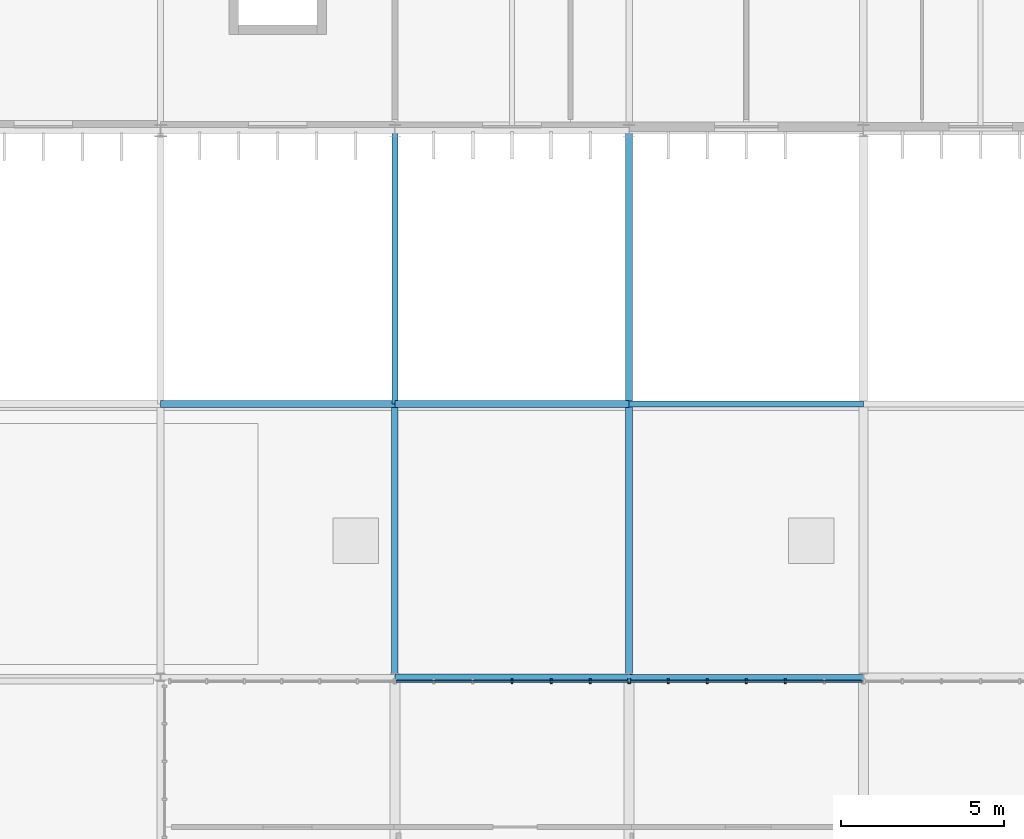
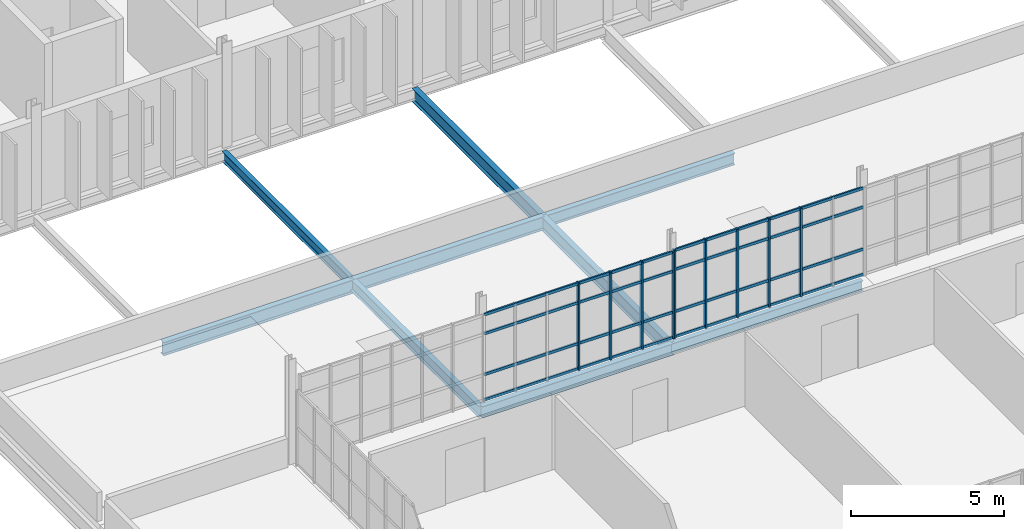
# One storey, part 35 of 119: 17 members, 9 beams, 2 elements without a shape of their own.
"""IFC4 building model written with IfcOpenShell, lengths in metres."""

from ifc_helpers import new_model, si_unit, direction, frame, origin, origin_2d, place, context, subcontext, project, spatial, rectangle, i_section, extrude, material, material_profile, profile_set, type_object, element, aggregate, save


model = new_model("IFC4")

# Units and contexts
model_context = context("Model", 3, precision=1e-05, world=origin(), true_north=direction((0.0, 1.0)))
body_context = subcontext(model_context, "Body", "Model", "MODEL_VIEW")
ifc_project = project(units=[si_unit("LENGTHUNIT", "METRE"), si_unit("AREAUNIT", "SQUARE_METRE"), si_unit("VOLUMEUNIT", "CUBIC_METRE"), si_unit("PLANEANGLEUNIT", "RADIAN"), si_unit("MASSUNIT", "GRAM", prefix="KILO")], contexts=[model_context])

# Site, building, storey
site_placement = place(None, origin())
site = spatial("IfcSite", under=ifc_project, at=site_placement, CompositionType="ELEMENT")
building_placement = place(site_placement, origin())
building = spatial("IfcBuilding", under=site, at=building_placement, Name="Qelthora Terrace Specialist Clinic", CompositionType="ELEMENT")
storey_placement = place(building_placement, frame((0.0, 0.0, 4.800048828125)))
storey = spatial("IfcBuildingStorey", under=building, at=storey_placement, Name="L01", CompositionType="ELEMENT", Elevation=4.800048828125)

# Beams
ifc_material_1 = material(Name="Steel S355", Category="steel")
ifc_material_profile_1 = material_profile(ifc_material_1, i_section(OverallWidth=0.178955078125, OverallDepth=0.409912109375, WebThickness=0.0087890625, FlangeThickness=0.014404296875, FilletRadius=0.011962890625, at=origin_2d()), Name="W410X67")
ifc_profile_set_1 = profile_set([ifc_material_profile_1], Name="Steel S355")
beam_type_1 = type_object("IfcBeamType", Name="BM-W410X67", PredefinedType="BEAM", material=ifc_profile_set_1)
beam_1_placement = place(storey_placement, frame((122.39990234375, 16.800048828125, -0.455078125), z_axis=(1.0, 0.0, 0.0), x_axis=(0.0, 1.0, 0.0)))
element("IfcBeam", 1, at=beam_1_placement, inside=storey, type_object=beam_type_1, Name="Girder BMX-L01-0168", PredefinedType="BEAM", context=body_context, shape_type="SweptSolid", body=[
    extrude(i_section(OverallWidth=0.178955078125, OverallDepth=0.409912109375, WebThickness=0.0087890625, FlangeThickness=0.014404296875, FilletRadius=0.011962890625, at=origin_2d()), origin(), (0.0, 0.0, 1.0), 7.2001953125),
])
ifc_material_profile_2 = material_profile(ifc_material_1, i_section(OverallWidth=0.179931640625, OverallDepth=0.4130859375, WebThickness=0.009765625, FlangeThickness=0.01611328125, FilletRadius=0.011962890625, at=origin_2d()), Name="W410X75")
ifc_profile_set_2 = profile_set([ifc_material_profile_2], Name="Steel S355")
beam_type_2 = type_object("IfcBeamType", Name="BM-W410X75", PredefinedType="BEAM", material=ifc_profile_set_2)
beam_2_placement = place(storey_placement, frame((115.199951171875, 25.199951171875, -0.45654296875), z_axis=(0.0, 1.0, 0.0), x_axis=(-1.0, 0.0, 0.0)))
element("IfcBeam", 2, at=beam_2_placement, inside=storey, type_object=beam_type_2, Name="Girder BMY-L01-0489", PredefinedType="BEAM", context=body_context, shape_type="SweptSolid", body=[
    extrude(i_section(OverallWidth=0.179931640625, OverallDepth=0.4130859375, WebThickness=0.009765625, FlangeThickness=0.01611328125, FilletRadius=0.011962890625, at=origin_2d()), origin(), (0.0, 0.0, 1.0), 8.400146484375),
])
ifc_material_profile_3 = material_profile(ifc_material_1, i_section(OverallWidth=0.19091796875, OverallDepth=0.4599609375, WebThickness=0.010009765625, FlangeThickness=0.01611328125, FilletRadius=0.012939453125, at=origin_2d()), Name="W460X82")
ifc_profile_set_3 = profile_set([ifc_material_profile_3], Name="Steel S355")
beam_type_3 = type_object("IfcBeamType", Name="BM-W460X82", PredefinedType="BEAM", material=ifc_profile_set_3)
beam_3_placement = place(storey_placement, frame((115.199951171875, 16.800048828125, -0.47998046875), z_axis=(1.0, 0.0, 0.0), x_axis=(0.0, 1.0, 0.0)))
element("IfcBeam", 3, at=beam_3_placement, inside=storey, type_object=beam_type_3, Name="Girder BMX-L01-0167", PredefinedType="BEAM", context=body_context, shape_type="SweptSolid", body=[
    extrude(i_section(OverallWidth=0.19091796875, OverallDepth=0.4599609375, WebThickness=0.010009765625, FlangeThickness=0.01611328125, FilletRadius=0.012939453125, at=origin_2d()), origin(), (0.0, 0.0, 1.0), 7.199951171875),
])
beam_4_placement = place(storey_placement, frame((115.199951171875, 16.800048828125, -0.47998046875), z_axis=(0.0, 1.0, 0.0), x_axis=(-1.0, 0.0, 0.0)))
element("IfcBeam", 4, at=beam_4_placement, inside=storey, type_object=beam_type_3, Name="Girder BMY-L01-0488", PredefinedType="BEAM", context=body_context, shape_type="SweptSolid", body=[
    extrude(i_section(OverallWidth=0.19091796875, OverallDepth=0.4599609375, WebThickness=0.010009765625, FlangeThickness=0.01611328125, FilletRadius=0.012939453125, at=origin_2d()), origin(), (0.0, 0.0, 1.0), 8.39990234375),
])
ifc_material_profile_4 = material_profile(ifc_material_1, i_section(OverallWidth=0.193115234375, OverallDepth=0.466064453125, WebThickness=0.011474609375, FlangeThickness=0.01904296875, FilletRadius=0.012939453125, at=origin_2d()), Name="W460X97")
ifc_profile_set_4 = profile_set([ifc_material_profile_4], Name="Steel S355")
beam_type_4 = type_object("IfcBeamType", Name="BM-W460X97", PredefinedType="BEAM", material=ifc_profile_set_4)
beam_5_placement = place(storey_placement, frame((122.39990234375, 25.199951171875, -0.483154296875), z_axis=(1.0, 0.0, 0.0), x_axis=(0.0, 1.0, 0.0)))
element("IfcBeam", 5, at=beam_5_placement, inside=storey, type_object=beam_type_4, Name="Girder BMX-L01-0189", PredefinedType="BEAM", context=body_context, shape_type="SweptSolid", body=[
    extrude(i_section(OverallWidth=0.193115234375, OverallDepth=0.466064453125, WebThickness=0.011474609375, FlangeThickness=0.01904296875, FilletRadius=0.012939453125, at=origin_2d()), origin(), (0.0, 0.0, 1.0), 7.2001953125),
])
ifc_material_profile_5 = material_profile(ifc_material_1, i_section(OverallWidth=0.2099609375, OverallDepth=0.537109375, WebThickness=0.010986328125, FlangeThickness=0.017333984375, FilletRadius=0.013916015625, at=origin_2d()), Name="W530X101")
ifc_profile_set_5 = profile_set([ifc_material_profile_5], Name="Steel S355")
beam_type_5 = type_object("IfcBeamType", Name="BM-W530X101", PredefinedType="BEAM", material=ifc_profile_set_5)
beam_6_placement = place(storey_placement, frame((115.199951171875, 25.199951171875, -0.5185546875), z_axis=(1.0, 0.0, 0.0), x_axis=(0.0, 1.0, 0.0)))
element("IfcBeam", 6, at=beam_6_placement, inside=storey, type_object=beam_type_5, Name="Girder BMX-L01-0188", PredefinedType="BEAM", context=body_context, shape_type="SweptSolid", body=[
    extrude(i_section(OverallWidth=0.2099609375, OverallDepth=0.537109375, WebThickness=0.010986328125, FlangeThickness=0.017333984375, FilletRadius=0.013916015625, at=origin_2d()), origin(), (0.0, 0.0, 1.0), 7.199951171875),
])
beam_7_placement = place(storey_placement, frame((122.39990234375, 25.199951171875, -0.5185546875), z_axis=(0.0, 1.0, 0.0), x_axis=(-1.0, 0.0, 0.0)))
element("IfcBeam", 7, at=beam_7_placement, inside=storey, type_object=beam_type_5, Name="Girder BMY-L01-0496", PredefinedType="BEAM", context=body_context, shape_type="SweptSolid", body=[
    extrude(i_section(OverallWidth=0.2099609375, OverallDepth=0.537109375, WebThickness=0.010986328125, FlangeThickness=0.017333984375, FilletRadius=0.013916015625, at=origin_2d()), origin(), (0.0, 0.0, 1.0), 8.400146484375),
])
ifc_material_profile_6 = material_profile(ifc_material_1, i_section(OverallWidth=0.2119140625, OverallDepth=0.5439453125, WebThickness=0.01318359375, FlangeThickness=0.021240234375, FilletRadius=0.013916015625, at=origin_2d()), Name="W530X123")
ifc_profile_set_6 = profile_set([ifc_material_profile_6], Name="Steel S355")
beam_type_6 = type_object("IfcBeamType", Name="BM-W530X123", PredefinedType="BEAM", material=ifc_profile_set_6)
beam_8_placement = place(storey_placement, frame((108.0, 25.199951171875, -0.52197265625), z_axis=(1.0, 0.0, 0.0), x_axis=(0.0, 1.0, 0.0)))
element("IfcBeam", 8, at=beam_8_placement, inside=storey, type_object=beam_type_6, Name="Girder BMX-L01-0187", PredefinedType="BEAM", context=body_context, shape_type="SweptSolid", body=[
    extrude(i_section(OverallWidth=0.2119140625, OverallDepth=0.5439453125, WebThickness=0.01318359375, FlangeThickness=0.021240234375, FilletRadius=0.013916015625, at=origin_2d()), origin(), (0.0, 0.0, 1.0), 7.199951171875),
])
beam_9_placement = place(storey_placement, frame((122.39990234375, 16.800048828125, -0.52197265625), z_axis=(0.0, 1.0, 0.0), x_axis=(-1.0, 0.0, 0.0)))
element("IfcBeam", 9, at=beam_9_placement, inside=storey, type_object=beam_type_6, Name="Girder BMY-L01-0495", PredefinedType="BEAM", context=body_context, shape_type="SweptSolid", body=[
    extrude(i_section(OverallWidth=0.2119140625, OverallDepth=0.5439453125, WebThickness=0.01318359375, FlangeThickness=0.021240234375, FilletRadius=0.013916015625, at=origin_2d()), origin(), (0.0, 0.0, 1.0), 8.39990234375),
])

# Curtain wall, members
ifc_material_2 = material(Name="Aluminium anodized bronze", Category="aluminium")
curtain_wall_type = type_object("IfcCurtainWallType", Name="CW-CONS-UP", PredefinedType="NOTDEFINED", material=ifc_material_2)
curtain_wall_1_placement = place(storey_placement, origin())
curtain_wall_1 = element("IfcCurtainWall", 10, at=curtain_wall_1_placement, inside=storey, type_object=curtain_wall_type, Name="Curtain wall CW-L01-241", PredefinedType="NOTDEFINED")
ifc_material_profile_7 = material_profile(ifc_material_2, rectangle(XDim=0.06005859375, YDim=0.14990234375, at=origin_2d()), Name="CWM60X150")
ifc_profile_set_7 = profile_set([ifc_material_profile_7], Name="Aluminium anodized bronze")
member_type_1 = type_object("IfcMemberType", Name="CWM-60X150", PredefinedType="MULLION", material=ifc_profile_set_7)
member_1_placement = place(storey_placement, frame((118.800048828125, 16.679931640625, 0.0), z_axis=(0.0, 0.0, 1.0), x_axis=(1.0, 0.0, 0.0)))
member_1 = element("IfcMember", 11, at=member_1_placement, type_object=member_type_1, Name="CW-L01-241 mullion 4", PredefinedType="MULLION", context=body_context, shape_type="SweptSolid", body=[
    extrude(rectangle(XDim=0.06005859375, YDim=0.14990234375, at=origin_2d()), origin(), (0.0, 0.0, 1.0), 3.48193359375),
])
member_2_placement = place(storey_placement, frame((120.0, 16.679931640625, 0.0), z_axis=(0.0, 0.0, 1.0), x_axis=(1.0, 0.0, 0.0)))
member_2 = element("IfcMember", 12, at=member_2_placement, type_object=member_type_1, Name="CW-L01-241 mullion 5", PredefinedType="MULLION", context=body_context, shape_type="SweptSolid", body=[
    extrude(rectangle(XDim=0.06005859375, YDim=0.14990234375, at=origin_2d()), origin(), (0.0, 0.0, 1.0), 3.48193359375),
])
member_3_placement = place(storey_placement, frame((121.199951171875, 16.679931640625, 0.0), z_axis=(0.0, 0.0, 1.0), x_axis=(1.0, 0.0, 0.0)))
member_3 = element("IfcMember", 13, at=member_3_placement, type_object=member_type_1, Name="CW-L01-241 mullion 6", PredefinedType="MULLION", context=body_context, shape_type="SweptSolid", body=[
    extrude(rectangle(XDim=0.06005859375, YDim=0.14990234375, at=origin_2d()), origin(), (0.0, 0.0, 1.0), 3.48193359375),
])
member_4_placement = place(storey_placement, frame((122.3798828125, 16.679931640625, 0.0), z_axis=(0.0, 0.0, 1.0), x_axis=(1.0, 0.0, 0.0)))
member_4 = element("IfcMember", 14, at=member_4_placement, type_object=member_type_1, Name="CW-L01-241 mullion 7", PredefinedType="MULLION", context=body_context, shape_type="SweptSolid", body=[
    extrude(rectangle(XDim=0.06005859375, YDim=0.14990234375, at=origin_2d()), origin(), (0.0, 0.0, 1.0), 3.48193359375),
])

curtain_wall_2_placement = place(storey_placement, origin())
curtain_wall_2 = element("IfcCurtainWall", 15, at=curtain_wall_2_placement, inside=storey, type_object=curtain_wall_type, Name="Curtain wall CW-L01-242", PredefinedType="NOTDEFINED")
member_5_placement = place(storey_placement, frame((122.419921875, 16.679931640625, 0.0), z_axis=(0.0, 0.0, 1.0), x_axis=(1.0, 0.0, 0.0)))
member_5 = element("IfcMember", 16, at=member_5_placement, type_object=member_type_1, Name="CW-L01-242 mullion 1", PredefinedType="MULLION", context=body_context, shape_type="SweptSolid", body=[
    extrude(rectangle(XDim=0.06005859375, YDim=0.14990234375, at=origin_2d()), origin(), (0.0, 0.0, 1.0), 3.529052734375),
])
member_6_placement = place(storey_placement, frame((123.60009765625, 16.679931640625, 0.0), z_axis=(0.0, 0.0, 1.0), x_axis=(1.0, 0.0, 0.0)))
member_6 = element("IfcMember", 17, at=member_6_placement, type_object=member_type_1, Name="CW-L01-242 mullion 2", PredefinedType="MULLION", context=body_context, shape_type="SweptSolid", body=[
    extrude(rectangle(XDim=0.06005859375, YDim=0.14990234375, at=origin_2d()), origin(), (0.0, 0.0, 1.0), 3.529052734375),
])
member_7_placement = place(storey_placement, frame((124.800048828125, 16.679931640625, 0.0), z_axis=(0.0, 0.0, 1.0), x_axis=(1.0, 0.0, 0.0)))
member_7 = element("IfcMember", 18, at=member_7_placement, type_object=member_type_1, Name="CW-L01-242 mullion 3", PredefinedType="MULLION", context=body_context, shape_type="SweptSolid", body=[
    extrude(rectangle(XDim=0.06005859375, YDim=0.14990234375, at=origin_2d()), origin(), (0.0, 0.0, 1.0), 3.529052734375),
])
member_8_placement = place(storey_placement, frame((126.0, 16.679931640625, 0.0), z_axis=(0.0, 0.0, 1.0), x_axis=(1.0, 0.0, 0.0)))
member_8 = element("IfcMember", 19, at=member_8_placement, type_object=member_type_1, Name="CW-L01-242 mullion 4", PredefinedType="MULLION", context=body_context, shape_type="SweptSolid", body=[
    extrude(rectangle(XDim=0.06005859375, YDim=0.14990234375, at=origin_2d()), origin(), (0.0, 0.0, 1.0), 3.529052734375),
])
member_9_placement = place(storey_placement, frame((127.199951171875, 16.679931640625, 0.0), z_axis=(0.0, 0.0, 1.0), x_axis=(1.0, 0.0, 0.0)))
member_9 = element("IfcMember", 20, at=member_9_placement, type_object=member_type_1, Name="CW-L01-242 mullion 5", PredefinedType="MULLION", context=body_context, shape_type="SweptSolid", body=[
    extrude(rectangle(XDim=0.06005859375, YDim=0.14990234375, at=origin_2d()), origin(), (0.0, 0.0, 1.0), 3.529052734375),
])

# Member
ifc_material_profile_8 = material_profile(ifc_material_2, rectangle(XDim=0.06005859375, YDim=0.110107421875, at=origin_2d()), Name="CWT60X110")
ifc_profile_set_8 = profile_set([ifc_material_profile_8], Name="Aluminium anodized bronze")
member_type_2 = type_object("IfcMemberType", Name="CWT-60X110", PredefinedType="USERDEFINED", material=ifc_profile_set_8)
member_10_placement = place(storey_placement, frame((115.239990234375, 16.679931640625, 0.0400390625), z_axis=(1.0, 0.0, 0.0), x_axis=(0.0, 1.0, 0.0)))
member_10 = element("IfcMember", 21, at=member_10_placement, type_object=member_type_2, Name="CW-L01-241 transom 1", ObjectType="TRANSOM", PredefinedType="USERDEFINED", context=body_context, shape_type="SweptSolid", body=[
    extrude(rectangle(XDim=0.06005859375, YDim=0.110107421875, at=origin_2d()), origin(), (0.0, 0.0, 1.0), 7.1201171875),
])

member_11_placement = place(storey_placement, frame((115.239990234375, 16.679931640625, 1.050048828125), z_axis=(1.0, 0.0, 0.0), x_axis=(0.0, 1.0, 0.0)))
member_11 = element("IfcMember", 22, at=member_11_placement, type_object=member_type_2, Name="CW-L01-241 transom 2", ObjectType="TRANSOM", PredefinedType="USERDEFINED", context=body_context, shape_type="SweptSolid", body=[
    extrude(rectangle(XDim=0.06005859375, YDim=0.110107421875, at=origin_2d()), origin(), (0.0, 0.0, 1.0), 7.1201171875),
])

member_12_placement = place(storey_placement, frame((115.239990234375, 16.679931640625, 2.681884765625), z_axis=(1.0, 0.0, 0.0), x_axis=(0.0, 1.0, 0.0)))
member_12 = element("IfcMember", 23, at=member_12_placement, type_object=member_type_2, Name="CW-L01-241 transom 3", ObjectType="TRANSOM", PredefinedType="USERDEFINED", context=body_context, shape_type="SweptSolid", body=[
    extrude(rectangle(XDim=0.06005859375, YDim=0.110107421875, at=origin_2d()), origin(), (0.0, 0.0, 1.0), 7.1201171875),
])

member_13_placement = place(storey_placement, frame((115.239990234375, 16.679931640625, 3.44189453125), z_axis=(1.0, 0.0, 0.0), x_axis=(0.0, 1.0, 0.0)))
member_13 = element("IfcMember", 24, at=member_13_placement, type_object=member_type_2, Name="CW-L01-241 transom 4", ObjectType="TRANSOM", PredefinedType="USERDEFINED", context=body_context, shape_type="SweptSolid", body=[
    extrude(rectangle(XDim=0.06005859375, YDim=0.110107421875, at=origin_2d()), origin(), (0.0, 0.0, 1.0), 7.1201171875),
])

aggregate(curtain_wall_1, [member_1, member_2, member_3, member_4, member_10, member_11, member_12, member_13])

member_14_placement = place(storey_placement, frame((122.43994140625, 16.679931640625, 0.0400390625), z_axis=(1.0, 0.0, 0.0), x_axis=(0.0, 1.0, 0.0)))
member_14 = element("IfcMember", 25, at=member_14_placement, type_object=member_type_2, Name="CW-L01-242 transom 1", ObjectType="TRANSOM", PredefinedType="USERDEFINED", context=body_context, shape_type="SweptSolid", body=[
    extrude(rectangle(XDim=0.06005859375, YDim=0.110107421875, at=origin_2d()), origin(), (0.0, 0.0, 1.0), 7.1201171875),
])

member_15_placement = place(storey_placement, frame((122.43994140625, 16.679931640625, 1.050048828125), z_axis=(1.0, 0.0, 0.0), x_axis=(0.0, 1.0, 0.0)))
member_15 = element("IfcMember", 26, at=member_15_placement, type_object=member_type_2, Name="CW-L01-242 transom 2", ObjectType="TRANSOM", PredefinedType="USERDEFINED", context=body_context, shape_type="SweptSolid", body=[
    extrude(rectangle(XDim=0.06005859375, YDim=0.110107421875, at=origin_2d()), origin(), (0.0, 0.0, 1.0), 7.1201171875),
])

member_16_placement = place(storey_placement, frame((122.43994140625, 16.679931640625, 2.72900390625), z_axis=(1.0, 0.0, 0.0), x_axis=(0.0, 1.0, 0.0)))
member_16 = element("IfcMember", 27, at=member_16_placement, type_object=member_type_2, Name="CW-L01-242 transom 3", ObjectType="TRANSOM", PredefinedType="USERDEFINED", context=body_context, shape_type="SweptSolid", body=[
    extrude(rectangle(XDim=0.06005859375, YDim=0.110107421875, at=origin_2d()), origin(), (0.0, 0.0, 1.0), 7.1201171875),
])

member_17_placement = place(storey_placement, frame((122.43994140625, 16.679931640625, 3.489013671875), z_axis=(1.0, 0.0, 0.0), x_axis=(0.0, 1.0, 0.0)))
member_17 = element("IfcMember", 28, at=member_17_placement, type_object=member_type_2, Name="CW-L01-242 transom 4", ObjectType="TRANSOM", PredefinedType="USERDEFINED", context=body_context, shape_type="SweptSolid", body=[
    extrude(rectangle(XDim=0.06005859375, YDim=0.110107421875, at=origin_2d()), origin(), (0.0, 0.0, 1.0), 7.1201171875),
])

aggregate(curtain_wall_2, [member_5, member_6, member_7, member_8, member_9, member_14, member_15, member_16, member_17])

save(model, "model.ifc")
